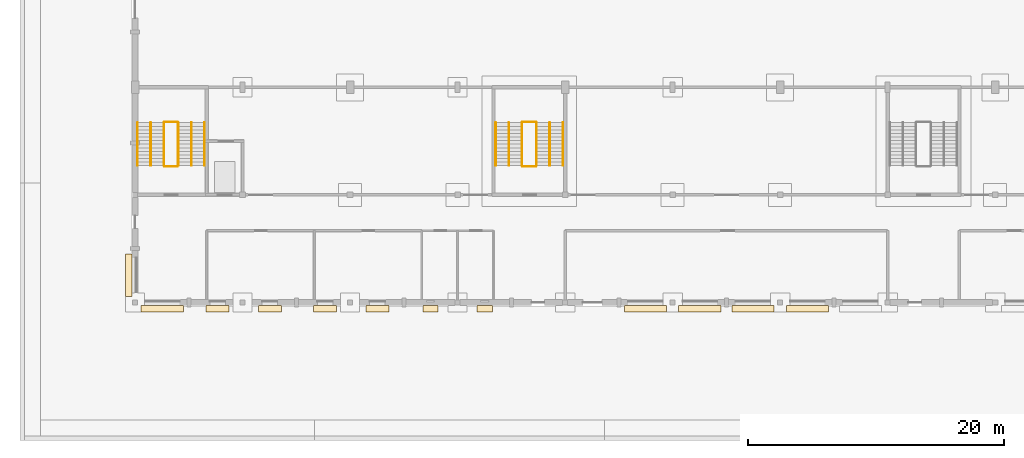
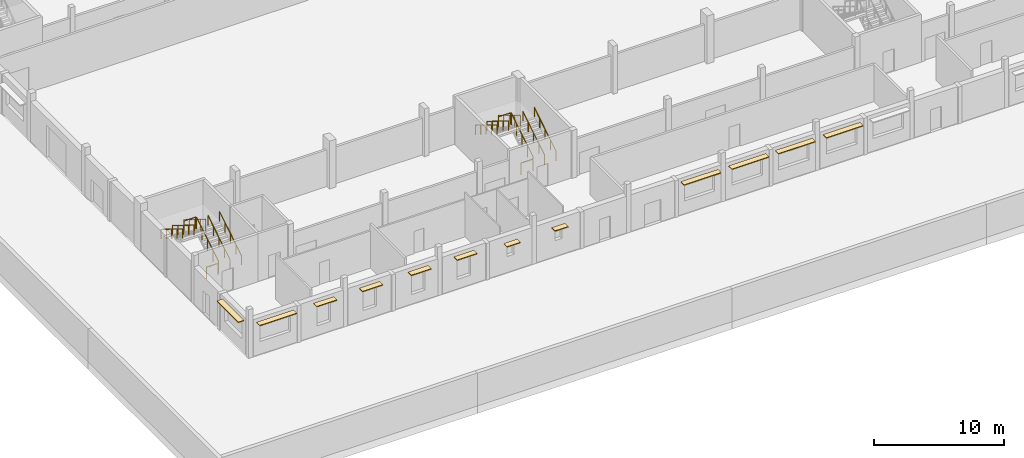
# One storey, part 30 of 36: 16 railings, 12 coverings.
"""IFC4 building model written with IfcOpenShell, lengths in metres."""

import ifcopenshell
import ifcopenshell.guid

model = None  # the IFC model being written
_history = None  # IfcOwnerHistory: only IFC2X3 demands one
_inside = {}  # id of a spatial element -> (the spatial element, [elements in it])
_under = {}  # id of a project, library or spatial element -> (it, [spatial elements below it])
_declared = {}  # id of a project -> (the project, [libraries it declares])
_typed = {}  # id of a type object -> (the type object, [elements of that type])
_made_of = {}  # id of a material, layer set ... -> (it, [elements and type objects made of it])


def new_model(schema):
    """Start an empty IFC model of exactly this schema.

    Asked for "IFC4X3", IfcOpenShell would pick the latest addendum, in which some entities
    have other attributes; the version numbers below select the first issue.
    IFC2X3 requires an IfcOwnerHistory on every rooted entity: one is made here for all.
    """
    global model, _history
    if schema == "IFC4X3":
        model = ifcopenshell.file(schema_version=(4, 3, 0, 0))
    else:
        model = ifcopenshell.file(schema=schema)
    _inside.clear()
    _under.clear()
    _declared.clear()
    _typed.clear()
    _made_of.clear()
    _history = None
    if model.schema == "IFC2X3":
        org = make("IfcOrganization", Name="unknown")
        user = make(
            "IfcPersonAndOrganization",
            ThePerson=make("IfcPerson", FamilyName="unknown"),
            TheOrganization=org,
        )
        app = make(
            "IfcApplication",
            ApplicationDeveloper=org,
            Version="unknown",
            ApplicationFullName="unknown",
            ApplicationIdentifier="unknown",
        )
        _history = make(
            "IfcOwnerHistory",
            OwningUser=user,
            OwningApplication=app,
            ChangeAction="ADDED",
            CreationDate=0,
        )
    return model


def make(cls, **values):
    """One entity of the class cls with the attributes given. An attribute that is None is left unset."""
    return model.create_entity(
        cls, **{name: value for name, value in values.items() if value is not None}
    )


def rooted(cls, **values):
    """An entity with a GlobalId (a new one), such as an element, a storey or a relation."""
    return make(cls, GlobalId=ifcopenshell.guid.new(), OwnerHistory=_history, **values)


def si_unit(unit_type, name, prefix=None):
    """IfcSIUnit, for example si_unit("LENGTHUNIT", "METRE", prefix="MILLI")."""
    return make("IfcSIUnit", UnitType=unit_type, Prefix=prefix, Name=name)


def assignment(units):
    """IfcUnitAssignment: the units of a project."""
    return None if units is None else make("IfcUnitAssignment", Units=units)


def point(xyz):
    """IfcCartesianPoint."""
    return None if xyz is None else make("IfcCartesianPoint", Coordinates=xyz)


def direction(xyz):
    """IfcDirection."""
    return None if xyz is None else make("IfcDirection", DirectionRatios=xyz)


def frame(location, z_axis=None, x_axis=None):
    """IfcAxis2Placement3D, a coordinate frame: its origin and axes. An axis left out is left unset."""
    return make(
        "IfcAxis2Placement3D",
        Location=point(location),
        Axis=direction(z_axis),
        RefDirection=direction(x_axis),
    )


def frame_2d(location, x_axis=None):
    """IfcAxis2Placement2D, a coordinate frame in the plane: its origin and x axis."""
    return make(
        "IfcAxis2Placement2D", Location=point(location), RefDirection=direction(x_axis)
    )


def origin():
    """The frame at (0, 0, 0) with its axes left unset."""
    return frame((0.0, 0.0, 0.0))


def origin_2d():
    """The frame at (0, 0) in the plane with its x axis left unset."""
    return frame_2d((0.0, 0.0))


def place(relative_to, where):
    """IfcLocalPlacement: puts the frame where relative to a parent placement (None: the world)."""
    return make(
        "IfcLocalPlacement", PlacementRelTo=relative_to, RelativePlacement=where
    )


def context(
    kind, dimensions, precision=None, world=None, true_north=None, identifier=None
):
    """IfcGeometricRepresentationContext, for example the 3D "Model" context."""
    return make(
        "IfcGeometricRepresentationContext",
        ContextIdentifier=identifier,
        ContextType=kind,
        CoordinateSpaceDimension=dimensions,
        Precision=precision,
        WorldCoordinateSystem=world,
        TrueNorth=true_north,
    )


def subcontext(parent, identifier, kind, view, scale=None):
    """IfcGeometricRepresentationSubContext, for example "Body" below "Model"."""
    return make(
        "IfcGeometricRepresentationSubContext",
        ContextIdentifier=identifier,
        ContextType=kind,
        ParentContext=parent,
        TargetScale=scale,
        TargetView=view,
    )


def project(units=None, contexts=None):
    """IfcProject with its units and contexts."""
    return rooted(
        "IfcProject",
        Name="project",
        RepresentationContexts=contexts,
        UnitsInContext=assignment(units),
    )


def spatial(cls, under=None, at=None, **own):
    """A site, building, storey or space (cls), placed at a placement, below another one or the project."""
    s = rooted(cls, ObjectPlacement=at, **own)
    if under is not None:
        _under.setdefault(under.id(), (under, []))[1].append(s)
    return s


def profile(cls, at=None, kind="AREA", **sizes):
    """A parametric profile (cls). Its sizes go by their IFC names, for example OverallWidth=200.0."""
    return make(cls, ProfileType=kind, Position=at, **sizes)


def rectangle(**sizes):
    """IfcRectangleProfileDef."""
    return profile("IfcRectangleProfileDef", **sizes)


def circle(**sizes):
    """IfcCircleProfileDef."""
    return profile("IfcCircleProfileDef", **sizes)


def extrude(swept, where, along, depth):
    """IfcExtrudedAreaSolid: the profile swept, set in the frame where, extruded along a direction by depth."""
    return make(
        "IfcExtrudedAreaSolid",
        SweptArea=swept,
        Position=where,
        ExtrudedDirection=direction(along),
        Depth=depth,
    )


def shape(context_of_items, identifier, shape_type, items):
    """IfcShapeRepresentation: the items that make up one representation, for example the "Body"."""
    return make(
        "IfcShapeRepresentation",
        ContextOfItems=context_of_items,
        RepresentationIdentifier=identifier,
        RepresentationType=shape_type,
        Items=items,
    )


def material(Name=None, Category=None):
    """IfcMaterial."""
    return make("IfcMaterial", Name=Name, Category=Category)


def layer(
    of_material, thickness, ventilated=None, Name=None, Category=None, Priority=None
):
    """IfcMaterialLayer: one layer of a wall or slab, of a material (None: an air gap)."""
    return make(
        "IfcMaterialLayer",
        Material=of_material,
        LayerThickness=thickness,
        IsVentilated=ventilated,
        Name=Name,
        Category=Category,
        Priority=Priority,
    )


def layer_set(layers, Name=None):
    """IfcMaterialLayerSet."""
    return make("IfcMaterialLayerSet", MaterialLayers=layers, LayerSetName=Name)


def made_of(thing, what):
    """Note that an element or type object is made of a material, layer set ...; save() writes the relation."""
    if what is not None:
        _made_of.setdefault(what.id(), (what, []))[1].append(thing)
    return thing


def type_object(cls, material=None, **own):
    """A type object (cls), such as IfcWallType, which elements share."""
    return made_of(rooted(cls, **own), material)


def element(
    cls,
    number,
    at=None,
    inside=None,
    cuts=None,
    type_object=None,
    material=None,
    context=None,
    identifier="Body",
    shape_type=None,
    held_by="IfcProductDefinitionShape",
    body=None,
    shapes=None,
    **own,
):
    """One element of the class cls, such as IfcWall. Its Tag is "e" and its number.

    at: its placement. inside: the storey or other place that contains it. cuts: it is an
    opening in that element (IfcRelVoidsElement). A single representation is given by context,
    identifier, shape_type and body (its items); several are given by shapes. held_by: the class
    of the entity that holds the representations. save() writes the other relations.
    """
    e = rooted(cls, Tag="e%d" % number, ObjectPlacement=at, **own)
    if body is not None:
        shapes = [shape(context, identifier, shape_type, body)]
    if shapes is not None:
        e.Representation = make(held_by, Representations=shapes)
    if inside is not None:
        _inside.setdefault(inside.id(), (inside, []))[1].append(e)
    if cuts is not None:
        rooted(
            "IfcRelVoidsElement", RelatingBuildingElement=cuts, RelatedOpeningElement=e
        )
    if type_object is not None:
        _typed.setdefault(type_object.id(), (type_object, []))[1].append(e)
    return made_of(e, material)


def aggregate(whole, parts):
    """IfcRelAggregates: a whole, such as a stair, and the parts it consists of."""
    return rooted("IfcRelAggregates", RelatingObject=whole, RelatedObjects=parts)


def save(model, path):
    """Write the relations noted so far, then the file.

    IfcRelAggregates (storeys below a building ...), IfcRelContainedInSpatialStructure (elements
    in a storey), IfcRelDefinesByType, IfcRelAssociatesMaterial and IfcRelDeclares: one each for
    every whole, place, type object, material and project.
    """
    for whole, parts in _under.values():
        aggregate(whole, parts)
    for where, things in _inside.values():
        rooted(
            "IfcRelContainedInSpatialStructure",
            RelatedElements=things,
            RelatingStructure=where,
        )
    for kind, things in _typed.values():
        rooted("IfcRelDefinesByType", RelatedObjects=things, RelatingType=kind)
    for what, things in _made_of.values():
        rooted("IfcRelAssociatesMaterial", RelatedObjects=things, RelatingMaterial=what)
    for by, libraries in _declared.values():
        rooted("IfcRelDeclares", RelatingContext=by, RelatedDefinitions=libraries)
    model.write(path)


model = new_model("IFC4")

# Units and contexts
model_context = context("Model", 3, precision=1e-05, world=origin(), true_north=direction((0.0, 1.0)))
body_context = subcontext(model_context, "Body", "Model", "MODEL_VIEW")
ifc_project = project(units=[si_unit("LENGTHUNIT", "METRE"), si_unit("AREAUNIT", "SQUARE_METRE"), si_unit("VOLUMEUNIT", "CUBIC_METRE"), si_unit("PLANEANGLEUNIT", "RADIAN"), si_unit("MASSUNIT", "GRAM", prefix="KILO")], contexts=[model_context])

# Site, building, storey
site_placement = place(None, origin())
site = spatial("IfcSite", under=ifc_project, at=site_placement, CompositionType="ELEMENT")
building_placement = place(site_placement, origin())
building = spatial("IfcBuilding", under=site, at=building_placement, Name="Fescue Hill Polytechnic", CompositionType="ELEMENT")
storey_placement = place(building_placement, origin())
storey = spatial("IfcBuildingStorey", under=building, at=storey_placement, Name="L00", CompositionType="ELEMENT", Elevation=0.0)

# Coverings
ifc_material_1 = material(Name="Precast concrete C40/50", Category="concrete")
ifc_layer = layer(ifc_material_1, 0.080078125)
ifc_layer_set = layer_set([ifc_layer], Name="Precast concrete C40/50")
covering_type = type_object("IfcCoveringType", Name="Shade blade precast 500x80", PredefinedType="CLADDING", material=ifc_layer_set)
for number, where, z_axis, x_axis, name in (
    (1, (-0.489990234375, 2.125, 3.050048828125), (0.0, 0.0, 1.0), (0.0, -1.0, 0.0), "SB-L00-V1-2"),
    (2, (2.125, -0.489990234375, 3.050048828125), (0.0, 0.0, 1.0), (1.0, 0.0, 0.0), "SB-L00-V1-3"),
):
    element("IfcCovering", number, at=place(storey_placement, frame(where, z_axis=z_axis, x_axis=x_axis)), inside=storey, type_object=covering_type, Name=name, PredefinedType="CLADDING", context=body_context, shape_type="SweptSolid", body=[
        extrude(rectangle(XDim=3.300048828125, YDim=0.5, at=origin_2d()), origin(), (0.0, 0.0, 1.0), 0.080078125),
    ])
for number, where, z_axis, x_axis, name in (
    (3, (6.449951171875, -0.489990234375, 3.050048828125), (0.0, 0.0, 1.0), (1.0, 0.0, 0.0), "SB-L00-V1-4"),
    (4, (10.52490234375, -0.489990234375, 3.050048828125), (0.0, 0.0, 1.0), (1.0, 0.0, 0.0), "SB-L00-V1-5"),
    (5, (14.85009765625, -0.489990234375, 3.050048828125), (0.0, 0.0, 1.0), (1.0, 0.0, 0.0), "SB-L00-V1-6"),
    (6, (18.925048828125, -0.489990234375, 3.050048828125), (0.0, 0.0, 1.0), (1.0, 0.0, 0.0), "SB-L00-V1-7"),
):
    element("IfcCovering", number, at=place(storey_placement, frame(where, z_axis=z_axis, x_axis=x_axis)), inside=storey, type_object=covering_type, Name=name, PredefinedType="CLADDING", context=body_context, shape_type="SweptSolid", body=[
        extrude(rectangle(XDim=1.800048828125, YDim=0.5, at=origin_2d()), origin(), (0.0, 0.0, 1.0), 0.080078125),
    ])
for number, where, z_axis, x_axis, name in (
    (7, (23.074951171875, -0.489990234375, 2.75), (0.0, 0.0, 1.0), (1.0, 0.0, 0.0), "SB-L00-V1-8"),
    (8, (27.324951171875, -0.489990234375, 2.75), (0.0, 0.0, 1.0), (1.0, 0.0, 0.0), "SB-L00-V1-9"),
):
    element("IfcCovering", number, at=place(storey_placement, frame(where, z_axis=z_axis, x_axis=x_axis)), inside=storey, type_object=covering_type, Name=name, PredefinedType="CLADDING", context=body_context, shape_type="SweptSolid", body=[
        extrude(rectangle(XDim=1.199951171875, YDim=0.5, at=origin_2d()), origin(), (0.0, 0.0, 1.0), 0.080078125),
    ])
for number, where, z_axis, x_axis, name in (
    (9, (39.875, -0.489990234375, 3.050048828125), (0.0, 0.0, 1.0), (1.0, 0.0, 0.0), "SB-L00-V1-10"),
    (10, (44.125, -0.489990234375, 3.050048828125), (0.0, 0.0, 1.0), (1.0, 0.0, 0.0), "SB-L00-V1-11"),
    (11, (48.27490234375, -0.489990234375, 3.050048828125), (0.0, 0.0, 1.0), (1.0, 0.0, 0.0), "SB-L00-V1-12"),
    (12, (52.52490234375, -0.489990234375, 3.050048828125), (0.0, 0.0, 1.0), (1.0, 0.0, 0.0), "SB-L00-V1-13"),
):
    element("IfcCovering", number, at=place(storey_placement, frame(where, z_axis=z_axis, x_axis=x_axis)), inside=storey, type_object=covering_type, Name=name, PredefinedType="CLADDING", context=body_context, shape_type="SweptSolid", body=[
        extrude(rectangle(XDim=3.300048828125, YDim=0.5, at=origin_2d()), origin(), (0.0, 0.0, 1.0), 0.080078125),
    ])

# Railings
ifc_material_2 = material(Name="Steel 350W (350 MPa)", Category="steel")
railing_type_1 = type_object("IfcRailingType", Name="Stair guard steel 1100", PredefinedType="GUARDRAIL", material=ifc_material_2)
railing_1_placement = place(storey_placement, frame((3.375, 10.675048828125, 0.173095703125)))
element("IfcRailing", 13, at=railing_1_placement, inside=storey, type_object=railing_type_1, Name="L00 ST-V1-1 stair guard 1", PredefinedType="GUARDRAIL", context=body_context, shape_type="SweptSolid", body=[
    extrude(circle(Radius=0.02392578125, at=origin_2d()), frame((0.0, 0.0, 1.076171875), z_axis=(0.0, 0.850606129759, 0.525803396734), x_axis=(-1.0, 0.0, 0.0)), (0.0, 0.0, 1.0), 3.949951171875),
    extrude(circle(Radius=0.02099609375, at=origin_2d()), origin(), (0.0, 0.0, 1.0), 1.052001953125),
    extrude(circle(Radius=0.02099609375, at=origin_2d()), frame((0.0, 0.83984375, 0.519287109375)), (0.0, 0.0, 1.0), 1.052001953125),
    extrude(circle(Radius=0.02099609375, at=origin_2d()), frame((0.0, 1.679931640625, 1.03857421875)), (0.0, 0.0, 1.0), 1.052001953125),
    extrude(circle(Radius=0.02099609375, at=origin_2d()), frame((0.0, 2.52001953125, 1.5576171875)), (0.0, 0.0, 1.0), 1.052001953125),
    extrude(circle(Radius=0.02099609375, at=origin_2d()), frame((0.0, 3.35986328125, 2.076904296875)), (0.0, 0.0, 1.0), 1.052001953125),
])
railing_2_placement = place(storey_placement, frame((3.324951171875, 14.0849609375, 2.25)))
element("IfcRailing", 14, at=railing_2_placement, inside=storey, type_object=railing_type_1, Name="L00 ST-V1-1 stair guard 2", PredefinedType="GUARDRAIL", context=body_context, shape_type="SweptSolid", body=[
    extrude(circle(Radius=0.02392578125, at=origin_2d()), frame((0.0, 0.0, 1.076171875), z_axis=(-1.0, 0.0, 0.0), x_axis=(0.0, -1.0, 0.0)), (0.0, 0.0, 1.0), 1.02490234375),
    extrude(circle(Radius=0.02099609375, at=origin_2d()), origin(), (0.0, 0.0, 1.0), 1.052001953125),
    extrude(circle(Radius=0.02099609375, at=origin_2d()), frame((-1.02490234375, 0.0, 0.0)), (0.0, 0.0, 1.0), 1.052001953125),
])
railing_3_placement = place(storey_placement, frame((2.25, 14.034912109375, 2.423095703125)))
element("IfcRailing", 15, at=railing_3_placement, inside=storey, type_object=railing_type_1, Name="L00 ST-V1-1 stair guard 3", PredefinedType="GUARDRAIL", context=body_context, shape_type="SweptSolid", body=[
    extrude(circle(Radius=0.02392578125, at=origin_2d()), frame((0.0, 0.0, 1.076171875), z_axis=(0.0, -0.850606129759, 0.525803396734), x_axis=(1.0, 0.0, 0.0)), (0.0, 0.0, 1.0), 3.949951171875),
    extrude(circle(Radius=0.02099609375, at=origin_2d()), origin(), (0.0, 0.0, 1.0), 1.052001953125),
    extrude(circle(Radius=0.02099609375, at=origin_2d()), frame((0.0, -0.83984375, 0.519287109375)), (0.0, 0.0, 1.0), 1.052001953125),
    extrude(circle(Radius=0.02099609375, at=origin_2d()), frame((0.0, -1.679931640625, 1.03857421875)), (0.0, 0.0, 1.0), 1.052001953125),
    extrude(circle(Radius=0.02099609375, at=origin_2d()), frame((0.0, -2.52001953125, 1.5576171875)), (0.0, 0.0, 1.0), 1.052001953125),
    extrude(circle(Radius=0.02099609375, at=origin_2d()), frame((0.0, -3.35986328125, 2.076904296875)), (0.0, 0.0, 1.0), 1.052001953125),
])
railing_4_placement = place(storey_placement, frame((3.324951171875, 10.625, 0.0)))
element("IfcRailing", 16, at=railing_4_placement, inside=storey, type_object=railing_type_1, Name="L00 ST-V1-1 stair guard 4", PredefinedType="GUARDRAIL", context=body_context, shape_type="SweptSolid", body=[
    extrude(circle(Radius=0.02392578125, at=origin_2d()), frame((0.0, 0.0, 1.076171875), z_axis=(-1.0, 0.0, 0.0), x_axis=(0.0, -1.0, 0.0)), (0.0, 0.0, 1.0), 1.02490234375),
    extrude(circle(Radius=0.02099609375, at=origin_2d()), origin(), (0.0, 0.0, 1.0), 1.052001953125),
    extrude(circle(Radius=0.02099609375, at=origin_2d()), frame((-1.02490234375, 0.0, 0.0)), (0.0, 0.0, 1.0), 1.052001953125),
])
railing_5_placement = place(storey_placement, frame((31.375, 10.675048828125, 0.173095703125)))
element("IfcRailing", 17, at=railing_5_placement, inside=storey, type_object=railing_type_1, Name="L00 ST-V1-2 stair guard 1", PredefinedType="GUARDRAIL", context=body_context, shape_type="SweptSolid", body=[
    extrude(circle(Radius=0.02392578125, at=origin_2d()), frame((0.0, 0.0, 1.076171875), z_axis=(0.0, 0.850606129759, 0.525803396734), x_axis=(-1.0, 0.0, 0.0)), (0.0, 0.0, 1.0), 3.949951171875),
    extrude(circle(Radius=0.02099609375, at=origin_2d()), origin(), (0.0, 0.0, 1.0), 1.052001953125),
    extrude(circle(Radius=0.02099609375, at=origin_2d()), frame((0.0, 0.83984375, 0.519287109375)), (0.0, 0.0, 1.0), 1.052001953125),
    extrude(circle(Radius=0.02099609375, at=origin_2d()), frame((0.0, 1.679931640625, 1.03857421875)), (0.0, 0.0, 1.0), 1.052001953125),
    extrude(circle(Radius=0.02099609375, at=origin_2d()), frame((0.0, 2.52001953125, 1.5576171875)), (0.0, 0.0, 1.0), 1.052001953125),
    extrude(circle(Radius=0.02099609375, at=origin_2d()), frame((0.0, 3.35986328125, 2.076904296875)), (0.0, 0.0, 1.0), 1.052001953125),
])
railing_6_placement = place(storey_placement, frame((31.324951171875, 14.0849609375, 2.25)))
element("IfcRailing", 18, at=railing_6_placement, inside=storey, type_object=railing_type_1, Name="L00 ST-V1-2 stair guard 2", PredefinedType="GUARDRAIL", context=body_context, shape_type="SweptSolid", body=[
    extrude(circle(Radius=0.02392578125, at=origin_2d()), frame((0.0, 0.0, 1.076171875), z_axis=(-1.0, 0.0, 0.0), x_axis=(0.0, -1.0, 0.0)), (0.0, 0.0, 1.0), 1.050048828125),
    extrude(circle(Radius=0.02099609375, at=origin_2d()), origin(), (0.0, 0.0, 1.0), 1.052001953125),
    extrude(circle(Radius=0.02099609375, at=origin_2d()), frame((-1.050048828125, 0.0, 0.0)), (0.0, 0.0, 1.0), 1.052001953125),
])
railing_7_placement = place(storey_placement, frame((30.22509765625, 14.034912109375, 2.423095703125)))
element("IfcRailing", 19, at=railing_7_placement, inside=storey, type_object=railing_type_1, Name="L00 ST-V1-2 stair guard 3", PredefinedType="GUARDRAIL", context=body_context, shape_type="SweptSolid", body=[
    extrude(circle(Radius=0.02392578125, at=origin_2d()), frame((0.0, 0.0, 1.076171875), z_axis=(0.0, -0.850606129759, 0.525803396734), x_axis=(1.0, 0.0, 0.0)), (0.0, 0.0, 1.0), 3.949951171875),
    extrude(circle(Radius=0.02099609375, at=origin_2d()), origin(), (0.0, 0.0, 1.0), 1.052001953125),
    extrude(circle(Radius=0.02099609375, at=origin_2d()), frame((0.0, -0.83984375, 0.519287109375)), (0.0, 0.0, 1.0), 1.052001953125),
    extrude(circle(Radius=0.02099609375, at=origin_2d()), frame((0.0, -1.679931640625, 1.03857421875)), (0.0, 0.0, 1.0), 1.052001953125),
    extrude(circle(Radius=0.02099609375, at=origin_2d()), frame((0.0, -2.52001953125, 1.5576171875)), (0.0, 0.0, 1.0), 1.052001953125),
    extrude(circle(Radius=0.02099609375, at=origin_2d()), frame((0.0, -3.35986328125, 2.076904296875)), (0.0, 0.0, 1.0), 1.052001953125),
])
railing_8_placement = place(storey_placement, frame((31.324951171875, 10.625, 0.0)))
element("IfcRailing", 20, at=railing_8_placement, inside=storey, type_object=railing_type_1, Name="L00 ST-V1-2 stair guard 4", PredefinedType="GUARDRAIL", context=body_context, shape_type="SweptSolid", body=[
    extrude(circle(Radius=0.02392578125, at=origin_2d()), frame((0.0, 0.0, 1.076171875), z_axis=(-1.0, 0.0, 0.0), x_axis=(0.0, -1.0, 0.0)), (0.0, 0.0, 1.0), 1.050048828125),
    extrude(circle(Radius=0.02099609375, at=origin_2d()), origin(), (0.0, 0.0, 1.0), 1.052001953125),
    extrude(circle(Radius=0.02099609375, at=origin_2d()), frame((-1.050048828125, 0.0, 0.0)), (0.0, 0.0, 1.0), 1.052001953125),
])
railing_type_2 = type_object("IfcRailingType", Name="Stair handrail steel 900", PredefinedType="HANDRAIL", material=ifc_material_2)
railing_9_placement = place(storey_placement, frame((5.425048828125, 10.675048828125, 0.173095703125)))
element("IfcRailing", 21, at=railing_9_placement, inside=storey, type_object=railing_type_2, Name="L00 ST-V1-1 stair handrail 1", PredefinedType="HANDRAIL", context=body_context, shape_type="SweptSolid", body=[
    extrude(circle(Radius=0.02392578125, at=origin_2d()), frame((0.0, 0.0, 0.8759765625), z_axis=(0.0, 0.850606129759, 0.525803396734), x_axis=(-1.0, 0.0, 0.0)), (0.0, 0.0, 1.0), 3.949951171875),
    extrude(circle(Radius=0.02099609375, at=origin_2d()), origin(), (0.0, 0.0, 1.0), 0.851806640625),
    extrude(circle(Radius=0.02099609375, at=origin_2d()), frame((0.0, 0.83984375, 0.519287109375)), (0.0, 0.0, 1.0), 0.851806640625),
    extrude(circle(Radius=0.02099609375, at=origin_2d()), frame((0.0, 1.679931640625, 1.03857421875)), (0.0, 0.0, 1.0), 0.851806640625),
    extrude(circle(Radius=0.02099609375, at=origin_2d()), frame((0.0, 2.52001953125, 1.5576171875)), (0.0, 0.0, 1.0), 0.851806640625),
    extrude(circle(Radius=0.02099609375, at=origin_2d()), frame((0.0, 3.35986328125, 2.076904296875)), (0.0, 0.0, 1.0), 0.851806640625),
])
railing_10_placement = place(storey_placement, frame((0.199951171875, 14.034912109375, 2.423095703125)))
element("IfcRailing", 22, at=railing_10_placement, inside=storey, type_object=railing_type_2, Name="L00 ST-V1-1 stair handrail 2", PredefinedType="HANDRAIL", context=body_context, shape_type="SweptSolid", body=[
    extrude(circle(Radius=0.02392578125, at=origin_2d()), frame((0.0, 0.0, 0.8759765625), z_axis=(0.0, -0.850606129759, 0.525803396734), x_axis=(1.0, 0.0, 0.0)), (0.0, 0.0, 1.0), 3.949951171875),
    extrude(circle(Radius=0.02099609375, at=origin_2d()), origin(), (0.0, 0.0, 1.0), 0.851806640625),
    extrude(circle(Radius=0.02099609375, at=origin_2d()), frame((0.0, -0.83984375, 0.519287109375)), (0.0, 0.0, 1.0), 0.851806640625),
    extrude(circle(Radius=0.02099609375, at=origin_2d()), frame((0.0, -1.679931640625, 1.03857421875)), (0.0, 0.0, 1.0), 0.851806640625),
    extrude(circle(Radius=0.02099609375, at=origin_2d()), frame((0.0, -2.52001953125, 1.5576171875)), (0.0, 0.0, 1.0), 0.851806640625),
    extrude(circle(Radius=0.02099609375, at=origin_2d()), frame((0.0, -3.35986328125, 2.076904296875)), (0.0, 0.0, 1.0), 0.851806640625),
])
railing_11_placement = place(storey_placement, frame((4.39990234375, 10.675048828125, 0.173095703125)))
element("IfcRailing", 23, at=railing_11_placement, inside=storey, type_object=railing_type_2, Name="L00 ST-V1-1 stair handrail 3", PredefinedType="HANDRAIL", context=body_context, shape_type="SweptSolid", body=[
    extrude(circle(Radius=0.02392578125, at=origin_2d()), frame((0.0, 0.0, 0.8759765625), z_axis=(0.0, 0.850606129759, 0.525803396734), x_axis=(-1.0, 0.0, 0.0)), (0.0, 0.0, 1.0), 3.949951171875),
    extrude(circle(Radius=0.02099609375, at=origin_2d()), origin(), (0.0, 0.0, 1.0), 0.851806640625),
    extrude(circle(Radius=0.02099609375, at=origin_2d()), frame((0.0, 0.83984375, 0.519287109375)), (0.0, 0.0, 1.0), 0.851806640625),
    extrude(circle(Radius=0.02099609375, at=origin_2d()), frame((0.0, 1.679931640625, 1.03857421875)), (0.0, 0.0, 1.0), 0.851806640625),
    extrude(circle(Radius=0.02099609375, at=origin_2d()), frame((0.0, 2.52001953125, 1.5576171875)), (0.0, 0.0, 1.0), 0.851806640625),
    extrude(circle(Radius=0.02099609375, at=origin_2d()), frame((0.0, 3.35986328125, 2.076904296875)), (0.0, 0.0, 1.0), 0.851806640625),
])
railing_12_placement = place(storey_placement, frame((1.22509765625, 14.034912109375, 2.423095703125)))
element("IfcRailing", 24, at=railing_12_placement, inside=storey, type_object=railing_type_2, Name="L00 ST-V1-1 stair handrail 4", PredefinedType="HANDRAIL", context=body_context, shape_type="SweptSolid", body=[
    extrude(circle(Radius=0.02392578125, at=origin_2d()), frame((0.0, 0.0, 0.8759765625), z_axis=(0.0, -0.850606129759, 0.525803396734), x_axis=(1.0, 0.0, 0.0)), (0.0, 0.0, 1.0), 3.949951171875),
    extrude(circle(Radius=0.02099609375, at=origin_2d()), origin(), (0.0, 0.0, 1.0), 0.851806640625),
    extrude(circle(Radius=0.02099609375, at=origin_2d()), frame((0.0, -0.83984375, 0.519287109375)), (0.0, 0.0, 1.0), 0.851806640625),
    extrude(circle(Radius=0.02099609375, at=origin_2d()), frame((0.0, -1.679931640625, 1.03857421875)), (0.0, 0.0, 1.0), 0.851806640625),
    extrude(circle(Radius=0.02099609375, at=origin_2d()), frame((0.0, -2.52001953125, 1.5576171875)), (0.0, 0.0, 1.0), 0.851806640625),
    extrude(circle(Radius=0.02099609375, at=origin_2d()), frame((0.0, -3.35986328125, 2.076904296875)), (0.0, 0.0, 1.0), 0.851806640625),
])
railing_13_placement = place(storey_placement, frame((33.425048828125, 10.675048828125, 0.173095703125)))
element("IfcRailing", 25, at=railing_13_placement, inside=storey, type_object=railing_type_2, Name="L00 ST-V1-2 stair handrail 1", PredefinedType="HANDRAIL", context=body_context, shape_type="SweptSolid", body=[
    extrude(circle(Radius=0.02392578125, at=origin_2d()), frame((0.0, 0.0, 0.8759765625), z_axis=(0.0, 0.850606129759, 0.525803396734), x_axis=(-1.0, 0.0, 0.0)), (0.0, 0.0, 1.0), 3.949951171875),
    extrude(circle(Radius=0.02099609375, at=origin_2d()), origin(), (0.0, 0.0, 1.0), 0.851806640625),
    extrude(circle(Radius=0.02099609375, at=origin_2d()), frame((0.0, 0.83984375, 0.519287109375)), (0.0, 0.0, 1.0), 0.851806640625),
    extrude(circle(Radius=0.02099609375, at=origin_2d()), frame((0.0, 1.679931640625, 1.03857421875)), (0.0, 0.0, 1.0), 0.851806640625),
    extrude(circle(Radius=0.02099609375, at=origin_2d()), frame((0.0, 2.52001953125, 1.5576171875)), (0.0, 0.0, 1.0), 0.851806640625),
    extrude(circle(Radius=0.02099609375, at=origin_2d()), frame((0.0, 3.35986328125, 2.076904296875)), (0.0, 0.0, 1.0), 0.851806640625),
])
railing_14_placement = place(storey_placement, frame((28.175048828125, 14.034912109375, 2.423095703125)))
element("IfcRailing", 26, at=railing_14_placement, inside=storey, type_object=railing_type_2, Name="L00 ST-V1-2 stair handrail 2", PredefinedType="HANDRAIL", context=body_context, shape_type="SweptSolid", body=[
    extrude(circle(Radius=0.02392578125, at=origin_2d()), frame((0.0, 0.0, 0.8759765625), z_axis=(0.0, -0.850606129759, 0.525803396734), x_axis=(1.0, 0.0, 0.0)), (0.0, 0.0, 1.0), 3.949951171875),
    extrude(circle(Radius=0.02099609375, at=origin_2d()), origin(), (0.0, 0.0, 1.0), 0.851806640625),
    extrude(circle(Radius=0.02099609375, at=origin_2d()), frame((0.0, -0.83984375, 0.519287109375)), (0.0, 0.0, 1.0), 0.851806640625),
    extrude(circle(Radius=0.02099609375, at=origin_2d()), frame((0.0, -1.679931640625, 1.03857421875)), (0.0, 0.0, 1.0), 0.851806640625),
    extrude(circle(Radius=0.02099609375, at=origin_2d()), frame((0.0, -2.52001953125, 1.5576171875)), (0.0, 0.0, 1.0), 0.851806640625),
    extrude(circle(Radius=0.02099609375, at=origin_2d()), frame((0.0, -3.35986328125, 2.076904296875)), (0.0, 0.0, 1.0), 0.851806640625),
])
railing_15_placement = place(storey_placement, frame((32.39990234375, 10.675048828125, 0.173095703125)))
element("IfcRailing", 27, at=railing_15_placement, inside=storey, type_object=railing_type_2, Name="L00 ST-V1-2 stair handrail 3", PredefinedType="HANDRAIL", context=body_context, shape_type="SweptSolid", body=[
    extrude(circle(Radius=0.02392578125, at=origin_2d()), frame((0.0, 0.0, 0.8759765625), z_axis=(0.0, 0.850606129759, 0.525803396734), x_axis=(-1.0, 0.0, 0.0)), (0.0, 0.0, 1.0), 3.949951171875),
    extrude(circle(Radius=0.02099609375, at=origin_2d()), origin(), (0.0, 0.0, 1.0), 0.851806640625),
    extrude(circle(Radius=0.02099609375, at=origin_2d()), frame((0.0, 0.83984375, 0.519287109375)), (0.0, 0.0, 1.0), 0.851806640625),
    extrude(circle(Radius=0.02099609375, at=origin_2d()), frame((0.0, 1.679931640625, 1.03857421875)), (0.0, 0.0, 1.0), 0.851806640625),
    extrude(circle(Radius=0.02099609375, at=origin_2d()), frame((0.0, 2.52001953125, 1.5576171875)), (0.0, 0.0, 1.0), 0.851806640625),
    extrude(circle(Radius=0.02099609375, at=origin_2d()), frame((0.0, 3.35986328125, 2.076904296875)), (0.0, 0.0, 1.0), 0.851806640625),
])
railing_16_placement = place(storey_placement, frame((29.199951171875, 14.034912109375, 2.423095703125)))
element("IfcRailing", 28, at=railing_16_placement, inside=storey, type_object=railing_type_2, Name="L00 ST-V1-2 stair handrail 4", PredefinedType="HANDRAIL", context=body_context, shape_type="SweptSolid", body=[
    extrude(circle(Radius=0.02392578125, at=origin_2d()), frame((0.0, 0.0, 0.8759765625), z_axis=(0.0, -0.850606129759, 0.525803396734), x_axis=(1.0, 0.0, 0.0)), (0.0, 0.0, 1.0), 3.949951171875),
    extrude(circle(Radius=0.02099609375, at=origin_2d()), origin(), (0.0, 0.0, 1.0), 0.851806640625),
    extrude(circle(Radius=0.02099609375, at=origin_2d()), frame((0.0, -0.83984375, 0.519287109375)), (0.0, 0.0, 1.0), 0.851806640625),
    extrude(circle(Radius=0.02099609375, at=origin_2d()), frame((0.0, -1.679931640625, 1.03857421875)), (0.0, 0.0, 1.0), 0.851806640625),
    extrude(circle(Radius=0.02099609375, at=origin_2d()), frame((0.0, -2.52001953125, 1.5576171875)), (0.0, 0.0, 1.0), 0.851806640625),
    extrude(circle(Radius=0.02099609375, at=origin_2d()), frame((0.0, -3.35986328125, 2.076904296875)), (0.0, 0.0, 1.0), 0.851806640625),
])

save(model, "model.ifc")
